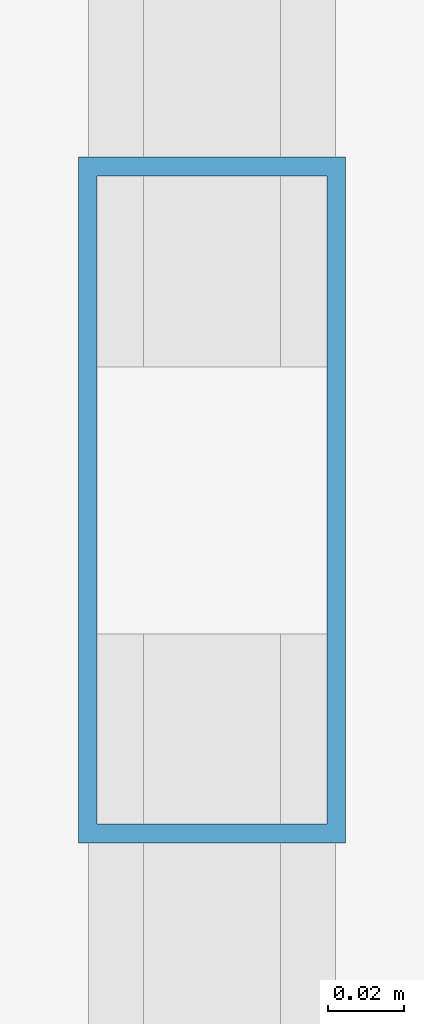
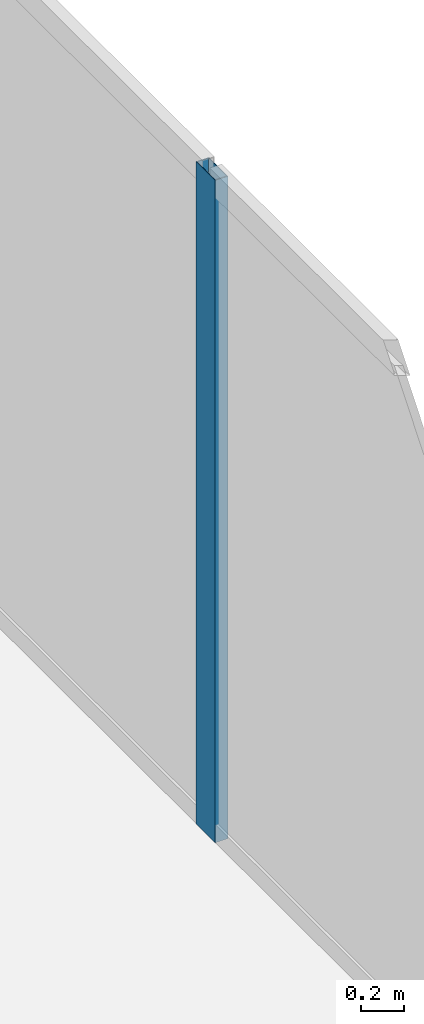
# One storey, part 24 of 33: 1 member, 1 element without a shape of its own.
"""IFC4 building model written with IfcOpenShell, lengths in metres."""

from ifc_helpers import new_model, si_unit, direction, frame, origin, origin_2d, place, context, subcontext, project, spatial, hollow_rectangle, extrude, source, transform, mapped, material, layer, layer_set, material_profile, profile_set, type_object, type_shapes, element, aggregate, save


model = new_model("IFC4")

# Units and contexts
model_context = context("Model", 3, precision=1e-05, world=origin(), true_north=direction((0.0, 1.0)))
body_context = subcontext(model_context, "Body", "Model", "MODEL_VIEW")
ifc_project = project(units=[si_unit("LENGTHUNIT", "METRE"), si_unit("AREAUNIT", "SQUARE_METRE"), si_unit("VOLUMEUNIT", "CUBIC_METRE"), si_unit("PLANEANGLEUNIT", "RADIAN"), si_unit("MASSUNIT", "GRAM", prefix="KILO")], contexts=[model_context])

# Site, building, storey
site_placement = place(None, origin())
site = spatial("IfcSite", under=ifc_project, at=site_placement, CompositionType="ELEMENT")
building_placement = place(site_placement, origin())
building = spatial("IfcBuilding", under=site, at=building_placement, Name="Haelvirn Gate Laboratories", CompositionType="ELEMENT")
storey_placement = place(building_placement, frame((0.0, 0.0, 230.10009765625)))
storey = spatial("IfcBuildingStorey", under=building, at=storey_placement, Name="L55", CompositionType="ELEMENT", Elevation=230.10009765625)

# Curtain wall, member
ifc_material_1 = material(Name="Anodised bronze unitised aluminium & triple low-E glass", Category="aluminium")
ifc_layer = layer(ifc_material_1, 0.176025390625, Name="CW-SYS-4")
ifc_layer_set = layer_set([ifc_layer], Name="Anodised bronze unitised aluminium & triple low-E glass")
curtain_wall_type = type_object("IfcCurtainWallType", Name="CW-SYS-4", PredefinedType="NOTDEFINED", material=ifc_layer_set)
curtain_wall_placement = place(storey_placement, origin())
curtain_wall = element("IfcCurtainWall", 1, at=curtain_wall_placement, inside=storey, type_object=curtain_wall_type, Name="L55 Unitised Curtain Wall CW-L55-P0-E07", PredefinedType="NOTDEFINED")
ifc_material_2 = material(Name="Extruded aluminium 6063-T6 (anodised bronze)", Category="aluminium")
ifc_material_profile = material_profile(ifc_material_2, hollow_rectangle(XDim=0.070068359375, YDim=0.179931640625, WallThickness=0.0048828125, at=origin_2d()), Name="CWM-180x70x5")
ifc_profile_set = profile_set([ifc_material_profile], Name="Extruded aluminium 6063-T6 (anodised bronze)")
member_type = type_object("IfcMemberType", Name="CWM-T180", PredefinedType="MULLION", material=ifc_profile_set)
shared_shape = source(origin(), body_context, "Body", "SweptSolid", [
    extrude(hollow_rectangle(XDim=0.070068359375, YDim=0.179931640625, WallThickness=0.0048828125, at=origin_2d()), origin(), (0.0, 0.0, 1.0), 3.7998046875),
])
type_shapes(member_type, [shared_shape])
member_placement = place(storey_placement, frame((70.699951171875, 24.300048828125, 0.0), z_axis=(0.0, 0.0, 1.0), x_axis=(-1.0, 0.0, 0.0)))
member = element("IfcMember", 2, at=member_placement, type_object=member_type, Name="CW4 mullion 2", PredefinedType="MULLION", context=body_context, shape_type="MappedRepresentation", body=[
    mapped(shared_shape, transform((0.0, 0.0, 0.0), scale=1.0)),
])
aggregate(curtain_wall, [member])

save(model, "model.ifc")
